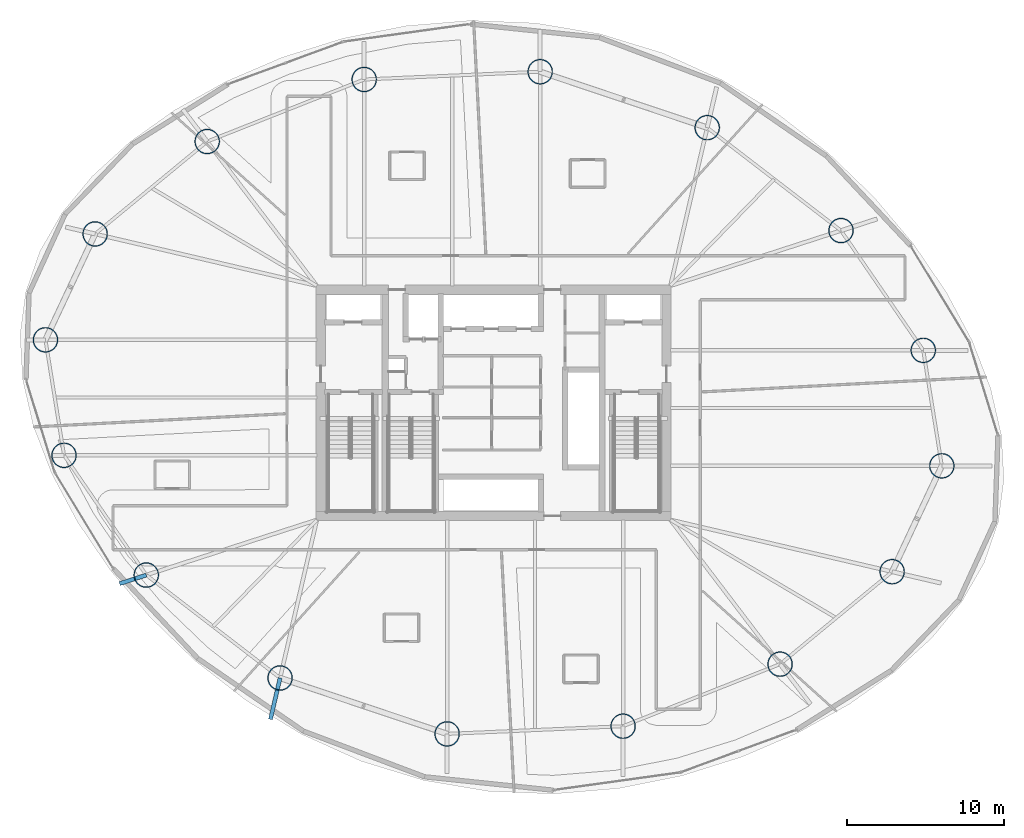
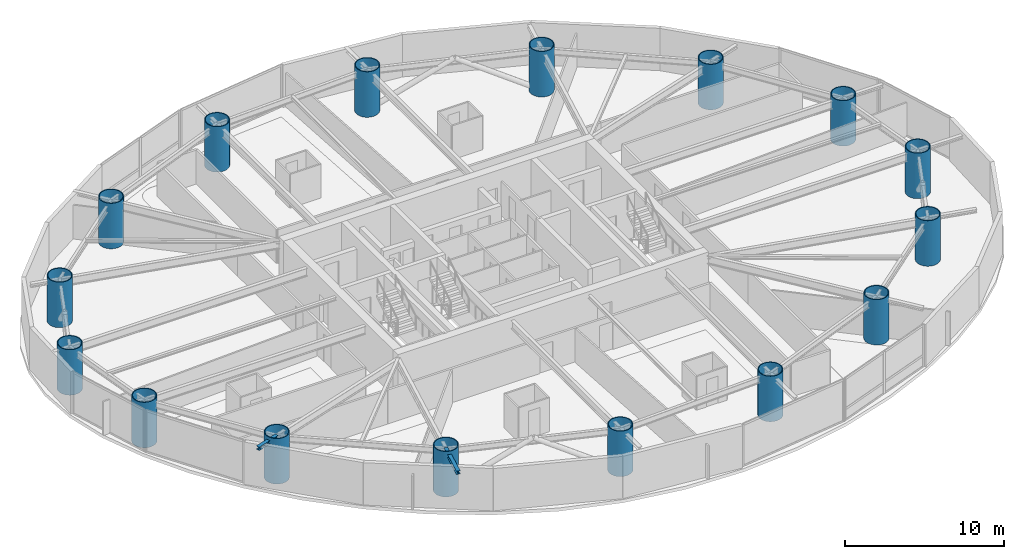
# One storey, part 1 of 30: 16 columns, 2 beams.
"""IFC4 building model written with IfcOpenShell, lengths in metres."""

import ifcopenshell
import ifcopenshell.guid

model = None  # the IFC model being written
_history = None  # IfcOwnerHistory: only IFC2X3 demands one
_inside = {}  # id of a spatial element -> (the spatial element, [elements in it])
_under = {}  # id of a project, library or spatial element -> (it, [spatial elements below it])
_declared = {}  # id of a project -> (the project, [libraries it declares])
_typed = {}  # id of a type object -> (the type object, [elements of that type])
_made_of = {}  # id of a material, layer set ... -> (it, [elements and type objects made of it])


def new_model(schema):
    """Start an empty IFC model of exactly this schema.

    Asked for "IFC4X3", IfcOpenShell would pick the latest addendum, in which some entities
    have other attributes; the version numbers below select the first issue.
    IFC2X3 requires an IfcOwnerHistory on every rooted entity: one is made here for all.
    """
    global model, _history
    if schema == "IFC4X3":
        model = ifcopenshell.file(schema_version=(4, 3, 0, 0))
    else:
        model = ifcopenshell.file(schema=schema)
    _inside.clear()
    _under.clear()
    _declared.clear()
    _typed.clear()
    _made_of.clear()
    _history = None
    if model.schema == "IFC2X3":
        org = make("IfcOrganization", Name="unknown")
        user = make(
            "IfcPersonAndOrganization",
            ThePerson=make("IfcPerson", FamilyName="unknown"),
            TheOrganization=org,
        )
        app = make(
            "IfcApplication",
            ApplicationDeveloper=org,
            Version="unknown",
            ApplicationFullName="unknown",
            ApplicationIdentifier="unknown",
        )
        _history = make(
            "IfcOwnerHistory",
            OwningUser=user,
            OwningApplication=app,
            ChangeAction="ADDED",
            CreationDate=0,
        )
    return model


def make(cls, **values):
    """One entity of the class cls with the attributes given. An attribute that is None is left unset."""
    return model.create_entity(
        cls, **{name: value for name, value in values.items() if value is not None}
    )


def rooted(cls, **values):
    """An entity with a GlobalId (a new one), such as an element, a storey or a relation."""
    return make(cls, GlobalId=ifcopenshell.guid.new(), OwnerHistory=_history, **values)


def si_unit(unit_type, name, prefix=None):
    """IfcSIUnit, for example si_unit("LENGTHUNIT", "METRE", prefix="MILLI")."""
    return make("IfcSIUnit", UnitType=unit_type, Prefix=prefix, Name=name)


def assignment(units):
    """IfcUnitAssignment: the units of a project."""
    return None if units is None else make("IfcUnitAssignment", Units=units)


def point(xyz):
    """IfcCartesianPoint."""
    return None if xyz is None else make("IfcCartesianPoint", Coordinates=xyz)


def direction(xyz):
    """IfcDirection."""
    return None if xyz is None else make("IfcDirection", DirectionRatios=xyz)


def frame(location, z_axis=None, x_axis=None):
    """IfcAxis2Placement3D, a coordinate frame: its origin and axes. An axis left out is left unset."""
    return make(
        "IfcAxis2Placement3D",
        Location=point(location),
        Axis=direction(z_axis),
        RefDirection=direction(x_axis),
    )


def frame_2d(location, x_axis=None):
    """IfcAxis2Placement2D, a coordinate frame in the plane: its origin and x axis."""
    return make(
        "IfcAxis2Placement2D", Location=point(location), RefDirection=direction(x_axis)
    )


def origin():
    """The frame at (0, 0, 0) with its axes left unset."""
    return frame((0.0, 0.0, 0.0))


def origin_2d():
    """The frame at (0, 0) in the plane with its x axis left unset."""
    return frame_2d((0.0, 0.0))


def place(relative_to, where):
    """IfcLocalPlacement: puts the frame where relative to a parent placement (None: the world)."""
    return make(
        "IfcLocalPlacement", PlacementRelTo=relative_to, RelativePlacement=where
    )


def context(
    kind, dimensions, precision=None, world=None, true_north=None, identifier=None
):
    """IfcGeometricRepresentationContext, for example the 3D "Model" context."""
    return make(
        "IfcGeometricRepresentationContext",
        ContextIdentifier=identifier,
        ContextType=kind,
        CoordinateSpaceDimension=dimensions,
        Precision=precision,
        WorldCoordinateSystem=world,
        TrueNorth=true_north,
    )


def subcontext(parent, identifier, kind, view, scale=None):
    """IfcGeometricRepresentationSubContext, for example "Body" below "Model"."""
    return make(
        "IfcGeometricRepresentationSubContext",
        ContextIdentifier=identifier,
        ContextType=kind,
        ParentContext=parent,
        TargetScale=scale,
        TargetView=view,
    )


def project(units=None, contexts=None):
    """IfcProject with its units and contexts."""
    return rooted(
        "IfcProject",
        Name="project",
        RepresentationContexts=contexts,
        UnitsInContext=assignment(units),
    )


def spatial(cls, under=None, at=None, **own):
    """A site, building, storey or space (cls), placed at a placement, below another one or the project."""
    s = rooted(cls, ObjectPlacement=at, **own)
    if under is not None:
        _under.setdefault(under.id(), (under, []))[1].append(s)
    return s


def profile(cls, at=None, kind="AREA", **sizes):
    """A parametric profile (cls). Its sizes go by their IFC names, for example OverallWidth=200.0."""
    return make(cls, ProfileType=kind, Position=at, **sizes)


def hollow_circle(**sizes):
    """IfcCircleHollowProfileDef."""
    return profile("IfcCircleHollowProfileDef", **sizes)


def i_section(**sizes):
    """IfcIShapeProfileDef."""
    return profile("IfcIShapeProfileDef", **sizes)


def extrude(swept, where, along, depth):
    """IfcExtrudedAreaSolid: the profile swept, set in the frame where, extruded along a direction by depth."""
    return make(
        "IfcExtrudedAreaSolid",
        SweptArea=swept,
        Position=where,
        ExtrudedDirection=direction(along),
        Depth=depth,
    )


def shape(context_of_items, identifier, shape_type, items):
    """IfcShapeRepresentation: the items that make up one representation, for example the "Body"."""
    return make(
        "IfcShapeRepresentation",
        ContextOfItems=context_of_items,
        RepresentationIdentifier=identifier,
        RepresentationType=shape_type,
        Items=items,
    )


def material(Name=None, Category=None):
    """IfcMaterial."""
    return make("IfcMaterial", Name=Name, Category=Category)


def material_profile(
    of_material, cross_section, Name=None, Category=None, Priority=None
):
    """IfcMaterialProfile: a cross section and its material."""
    return make(
        "IfcMaterialProfile",
        Name=Name,
        Material=of_material,
        Profile=cross_section,
        Priority=Priority,
        Category=Category,
    )


def profile_set(profiles, Name=None, composite=None):
    """IfcMaterialProfileSet."""
    return make(
        "IfcMaterialProfileSet",
        Name=Name,
        MaterialProfiles=profiles,
        CompositeProfile=composite,
    )


def made_of(thing, what):
    """Note that an element or type object is made of a material, layer set ...; save() writes the relation."""
    if what is not None:
        _made_of.setdefault(what.id(), (what, []))[1].append(thing)
    return thing


def type_object(cls, material=None, **own):
    """A type object (cls), such as IfcWallType, which elements share."""
    return made_of(rooted(cls, **own), material)


def element(
    cls,
    number,
    at=None,
    inside=None,
    cuts=None,
    type_object=None,
    material=None,
    context=None,
    identifier="Body",
    shape_type=None,
    held_by="IfcProductDefinitionShape",
    body=None,
    shapes=None,
    **own,
):
    """One element of the class cls, such as IfcWall. Its Tag is "e" and its number.

    at: its placement. inside: the storey or other place that contains it. cuts: it is an
    opening in that element (IfcRelVoidsElement). A single representation is given by context,
    identifier, shape_type and body (its items); several are given by shapes. held_by: the class
    of the entity that holds the representations. save() writes the other relations.
    """
    e = rooted(cls, Tag="e%d" % number, ObjectPlacement=at, **own)
    if body is not None:
        shapes = [shape(context, identifier, shape_type, body)]
    if shapes is not None:
        e.Representation = make(held_by, Representations=shapes)
    if inside is not None:
        _inside.setdefault(inside.id(), (inside, []))[1].append(e)
    if cuts is not None:
        rooted(
            "IfcRelVoidsElement", RelatingBuildingElement=cuts, RelatedOpeningElement=e
        )
    if type_object is not None:
        _typed.setdefault(type_object.id(), (type_object, []))[1].append(e)
    return made_of(e, material)


def aggregate(whole, parts):
    """IfcRelAggregates: a whole, such as a stair, and the parts it consists of."""
    return rooted("IfcRelAggregates", RelatingObject=whole, RelatedObjects=parts)


def save(model, path):
    """Write the relations noted so far, then the file.

    IfcRelAggregates (storeys below a building ...), IfcRelContainedInSpatialStructure (elements
    in a storey), IfcRelDefinesByType, IfcRelAssociatesMaterial and IfcRelDeclares: one each for
    every whole, place, type object, material and project.
    """
    for whole, parts in _under.values():
        aggregate(whole, parts)
    for where, things in _inside.values():
        rooted(
            "IfcRelContainedInSpatialStructure",
            RelatedElements=things,
            RelatingStructure=where,
        )
    for kind, things in _typed.values():
        rooted("IfcRelDefinesByType", RelatedObjects=things, RelatingType=kind)
    for what, things in _made_of.values():
        rooted("IfcRelAssociatesMaterial", RelatedObjects=things, RelatingMaterial=what)
    for by, libraries in _declared.values():
        rooted("IfcRelDeclares", RelatingContext=by, RelatedDefinitions=libraries)
    model.write(path)


model = new_model("IFC4")

# Units and contexts
model_context = context("Model", 3, precision=1e-05, world=origin(), true_north=direction((0.0, 1.0)))
body_context = subcontext(model_context, "Body", "Model", "MODEL_VIEW")
ifc_project = project(units=[si_unit("LENGTHUNIT", "METRE"), si_unit("AREAUNIT", "SQUARE_METRE"), si_unit("VOLUMEUNIT", "CUBIC_METRE"), si_unit("PLANEANGLEUNIT", "RADIAN"), si_unit("MASSUNIT", "GRAM", prefix="KILO")], contexts=[model_context])

# Site, building, storey
site_placement = place(None, origin())
site = spatial("IfcSite", under=ifc_project, at=site_placement, CompositionType="ELEMENT")
building_placement = place(site_placement, origin())
building = spatial("IfcBuilding", under=site, at=building_placement, Name="Bramvorn Convention Spire", CompositionType="ELEMENT")
storey_placement = place(building_placement, frame((0.0, 0.0, 86.89990234375)))
storey = spatial("IfcBuildingStorey", under=building, at=storey_placement, Name="L20", CompositionType="ELEMENT", Elevation=86.89990234375)

# Columns
ifc_material = material(Name="Steel CSA G40.21 Grade 350 (350W)", Category="steel")
ifc_material_profile_1 = material_profile(ifc_material, hollow_circle(Radius=0.800048828125, WallThickness=0.06005859375, at=origin_2d()))
ifc_profile_set_1 = profile_set([ifc_material_profile_1], Name="Steel CSA G40.21 Grade 350 (350W) - CFT1600X60")
column_type = type_object("IfcColumnType", Name="COL-CFT1600X60", PredefinedType="COLUMN", material=ifc_profile_set_1)
for number, where, z_axis, x_axis, name in (
    (1, (66.519775390625, 21.99169921875, 0.0), (0.0, 0.0, 1.0), (1.0, 0.0, 0.0), "L20 composite CFT mega-column MC01"),
    (2, (65.338623046875, 29.340087890625, 0.0), (0.0, 0.0, 1.0), (1.0, 0.0, 0.0), "L20 composite CFT mega-column MC02"),
    (3, (60.105224609375, 36.960205078125, 0.0), (0.0, 0.0, 1.0), (1.0, 0.0, 0.0), "L20 composite CFT mega-column MC03"),
    (4, (51.59033203125, 43.509033203125, 0.0), (0.0, 0.0, 1.0), (1.0, 0.0, 0.0), "L20 composite CFT mega-column MC04"),
    (5, (40.9609375, 47.06884765625, 0.0), (0.0, 0.0, 1.0), (1.0, 0.0, 0.0), "L20 composite CFT mega-column MC05"),
    (6, (29.76220703125, 46.57666015625, 0.0), (0.0, 0.0, 1.0), (1.0, 0.0, 0.0), "L20 composite CFT mega-column MC06"),
    (7, (19.772216796875, 42.628662109375, 0.0), (0.0, 0.0, 1.0), (1.0, 0.0, 0.0), "L20 composite CFT mega-column MC07"),
    (8, (12.64111328125, 36.746337890625, 0.0), (0.0, 0.0, 1.0), (1.0, 0.0, 0.0), "L20 composite CFT mega-column MC08"),
    (9, (9.480224609375, 30.00830078125, 0.0), (0.0, 0.0, 1.0), (1.0, 0.0, 0.0), "L20 composite CFT mega-column MC09"),
    (10, (10.661376953125, 22.659912109375, 0.0), (0.0, 0.0, 1.0), (1.0, 0.0, 0.0), "L20 composite CFT mega-column MC10"),
    (11, (15.894775390625, 15.039794921875, 0.0), (0.0, 0.0, 1.0), (1.0, 0.0, 0.0), "L20 composite CFT mega-column MC11"),
    (12, (24.40966796875, 8.490966796875, 0.0), (0.0, 0.0, 1.0), (1.0, 0.0, 0.0), "L20 composite CFT mega-column MC12"),
    (13, (35.0390625, 4.93115234375, 0.0), (0.0, 0.0, 1.0), (1.0, 0.0, 0.0), "L20 composite CFT mega-column MC13"),
    (14, (46.23779296875, 5.42333984375, 0.0), (0.0, 0.0, 1.0), (1.0, 0.0, 0.0), "L20 composite CFT mega-column MC14"),
    (15, (56.227783203125, 9.371337890625, 0.0), (0.0, 0.0, 1.0), (1.0, 0.0, 0.0), "L20 composite CFT mega-column MC15"),
    (16, (63.35888671875, 15.253662109375, 0.0), (0.0, 0.0, 1.0), (1.0, 0.0, 0.0), "L20 composite CFT mega-column MC16"),
):
    element("IfcColumn", number, at=place(storey_placement, frame(where, z_axis=z_axis, x_axis=x_axis)), inside=storey, type_object=column_type, Name=name, PredefinedType="COLUMN", context=body_context, shape_type="SweptSolid", body=[
        extrude(hollow_circle(Radius=0.800048828125, WallThickness=0.06005859375, at=origin_2d()), origin(), (0.0, 0.0, 1.0), 3.5),
    ])

# Beams
ifc_material_profile_2 = material_profile(ifc_material, i_section(OverallWidth=0.25390625, OverallDepth=0.2529296875, WebThickness=0.008544921875, FlangeThickness=0.01416015625, FilletRadius=0.011962890625, at=origin_2d()))
ifc_profile_set_2 = profile_set([ifc_material_profile_2], Name="Steel CSA G40.21 Grade 350 (350W) - W250X73")
beam_type = type_object("IfcBeamType", Name="BM-W250X73", PredefinedType="BEAM", material=ifc_profile_set_2)
beam_1_placement = place(storey_placement, frame((15.894775390625, 15.039794921875, 3.12353515625), z_axis=(-0.951510652571, -0.307615796154, 0.0), x_axis=(0.307615796154, -0.951510652571, 0.0)))
element("IfcBeam", 17, at=beam_1_placement, inside=storey, type_object=beam_type, Name="L20 slab-edge cantilever tip beam MC11", PredefinedType="BEAM", context=body_context, shape_type="SweptSolid", body=[
    extrude(i_section(OverallWidth=0.25390625, OverallDepth=0.2529296875, WebThickness=0.008544921875, FlangeThickness=0.01416015625, FilletRadius=0.011962890625, at=origin_2d()), origin(), (0.0, 0.0, 1.0), 1.7802734375),
])
beam_2_placement = place(storey_placement, frame((24.40966796875, 8.490966796875, 3.12353515625), z_axis=(-0.226587215328, -0.973990879757, 0.0), x_axis=(0.973990879757, -0.226587215328, 0.0)))
element("IfcBeam", 18, at=beam_2_placement, inside=storey, type_object=beam_type, Name="L20 slab-edge cantilever tip beam MC12", PredefinedType="BEAM", context=body_context, shape_type="SweptSolid", body=[
    extrude(i_section(OverallWidth=0.25390625, OverallDepth=0.2529296875, WebThickness=0.008544921875, FlangeThickness=0.01416015625, FilletRadius=0.011962890625, at=origin_2d()), origin(), (0.0, 0.0, 1.0), 2.703369140625),
])

save(model, "model.ifc")
